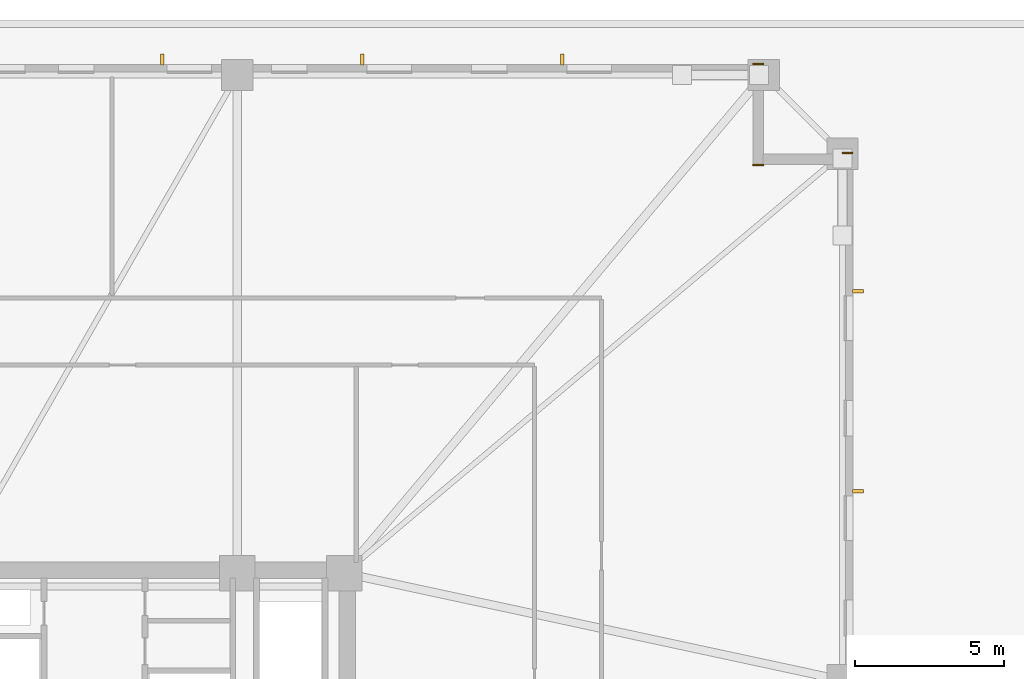
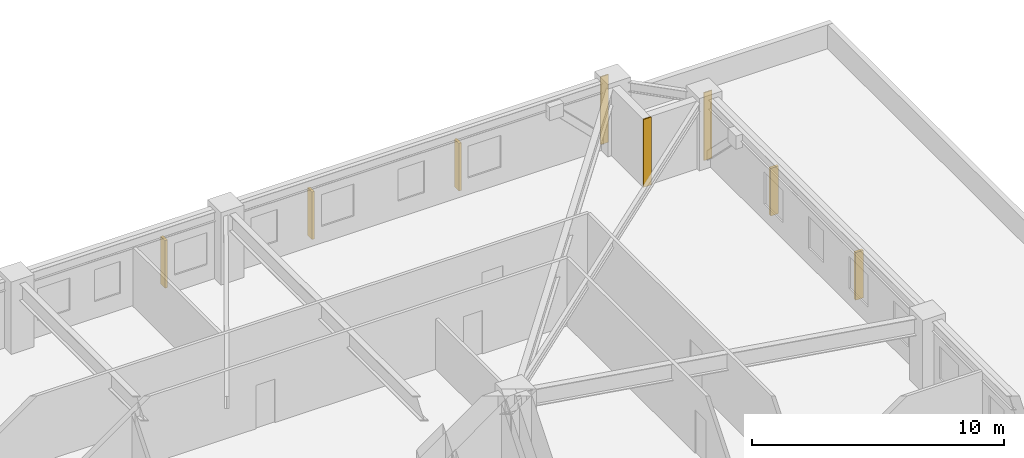
# One storey, part 12 of 12: 5 shading devices, 3 coverings.
"""IFC4 building model written with IfcOpenShell, lengths in metres."""

from ifc_helpers import new_model, si_unit, direction, frame, frame_2d, origin, origin_2d, place, context, subcontext, project, spatial, rectangle, extrude, material, layer, layer_set, type_object, element, save


model = new_model("IFC4")

# Units and contexts
model_context = context("Model", 3, precision=1e-05, world=origin(), true_north=direction((0.0, 1.0)))
body_context = subcontext(model_context, "Body", "Model", "MODEL_VIEW")
ifc_project = project(units=[si_unit("LENGTHUNIT", "METRE"), si_unit("AREAUNIT", "SQUARE_METRE"), si_unit("VOLUMEUNIT", "CUBIC_METRE"), si_unit("PLANEANGLEUNIT", "RADIAN"), si_unit("MASSUNIT", "GRAM", prefix="KILO")], contexts=[model_context])

# Site, building, storey
site_placement = place(None, origin())
site = spatial("IfcSite", under=ifc_project, at=site_placement, CompositionType="ELEMENT")
building_placement = place(site_placement, origin())
building = spatial("IfcBuilding", under=site, at=building_placement, Name="Cairnveth Concourse Tower", CompositionType="ELEMENT")
storey_placement = place(building_placement, frame((0.0, 0.0, 23.5)))
storey = spatial("IfcBuildingStorey", under=building, at=storey_placement, Name="L05", CompositionType="ELEMENT", Elevation=23.5)

# Coverings
ifc_material_1 = material(Name="Dressed Melbourne Bluestone Cladding", Category="masonry")
ifc_layer = layer(ifc_material_1, 0.050048828125)
ifc_layer_set = layer_set([ifc_layer], Name="Dressed Melbourne Bluestone Cladding")
covering_type = type_object("IfcCoveringType", Name="DRESSED BLUESTONE PLINTH CLADDING 50", PredefinedType="CLADDING", material=ifc_layer_set)
for number, where, z_axis, x_axis, name in (
    (1, (74.139892578125, 64.52001953125, 0.0), (0.0, 0.0, 1.0), (1.0, 0.0, 0.0), "Melbourne Bluestone Corner Quoin L05-30"),
    (2, (74.139892578125, 61.1201171875, 0.0), (0.0, 0.0, 1.0), (1.0, 0.0, 0.0), "Melbourne Bluestone Corner Quoin L05-31"),
    (3, (77.139892578125, 61.52001953125, 0.0), (0.0, 0.0, 1.0), (1.0, 0.0, 0.0), "Melbourne Bluestone Corner Quoin L05-32"),
):
    element("IfcCovering", number, at=place(storey_placement, frame(where, z_axis=z_axis, x_axis=x_axis)), inside=storey, type_object=covering_type, Name=name, PredefinedType="CLADDING", context=body_context, shape_type="SweptSolid", body=[
        extrude(rectangle(XDim=0.360107421875, YDim=0.050048828125, at=frame_2d((0.18017578125, 0.0))), origin(), (0.0, 0.0, 1.0), 3.280029296875),
    ])

# Shading devices
ifc_material_2 = material(Name="Architectural Bronze Anodised Aluminium 6063-T6", Category="aluminium")
shading_device_type = type_object("IfcShadingDeviceType", Name="GOTHIC BRONZE VERTICAL LANCET FIN", PredefinedType="USERDEFINED", material=ifc_material_2)
for number, where, z_axis, x_axis, name in (
    (4, (54.28125, 64.675048828125, 0.02978515625), (0.0, 0.0, 1.0), (1.0, 0.0, 0.0), "Gothic Bronze Vertical Fin L05-6-7"),
    (5, (61.00146484375, 64.675048828125, 0.02978515625), (0.0, 0.0, 1.0), (1.0, 0.0, 0.0), "Gothic Bronze Vertical Fin L05-6-9"),
    (6, (67.721923828125, 64.675048828125, 0.02978515625), (0.0, 0.0, 1.0), (1.0, 0.0, 0.0), "Gothic Bronze Vertical Fin L05-6-11"),
    (7, (77.675048828125, 56.8798828125, 0.02978515625), (0.0, 0.0, 1.0), (0.0, 1.0, 0.0), "Gothic Bronze Vertical Fin L05-9-1"),
    (8, (77.675048828125, 50.159423828125, 0.02978515625), (0.0, 0.0, 1.0), (0.0, 1.0, 0.0), "Gothic Bronze Vertical Fin L05-9-3"),
):
    element("IfcShadingDevice", number, at=place(storey_placement, frame(where, z_axis=z_axis, x_axis=x_axis)), inside=storey, type_object=shading_device_type, Name=name, ObjectType="VERTICAL FIN", PredefinedType="USERDEFINED", context=body_context, shape_type="SweptSolid", body=[
        extrude(rectangle(XDim=0.1201171875, YDim=0.360107421875, at=origin_2d()), origin(), (0.0, 0.0, 1.0), 2.303955078125),
    ])

save(model, "model.ifc")
